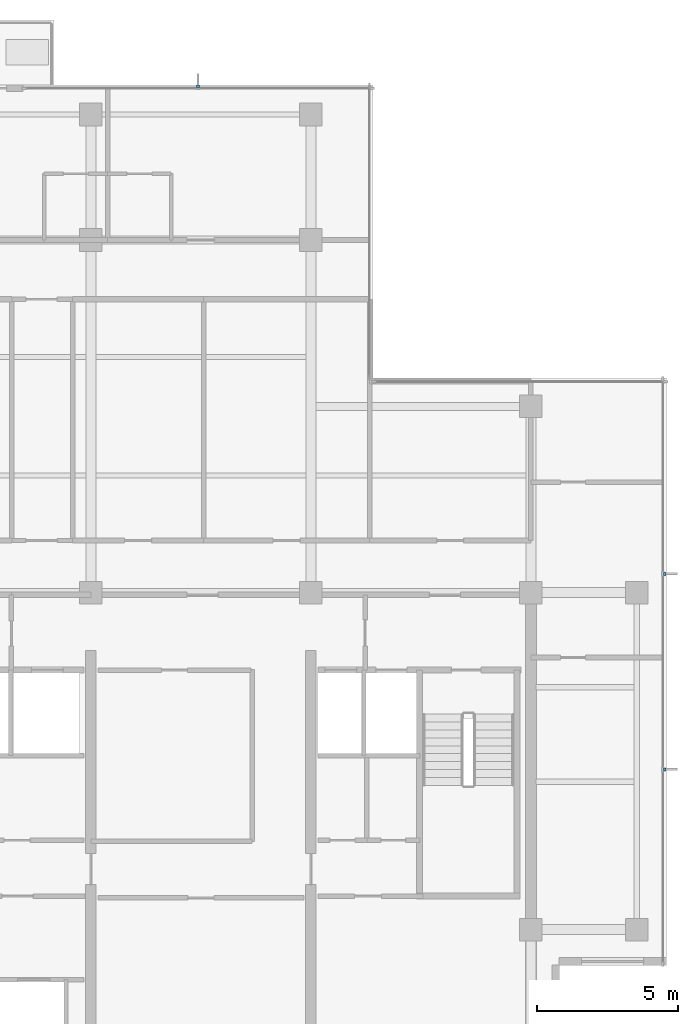
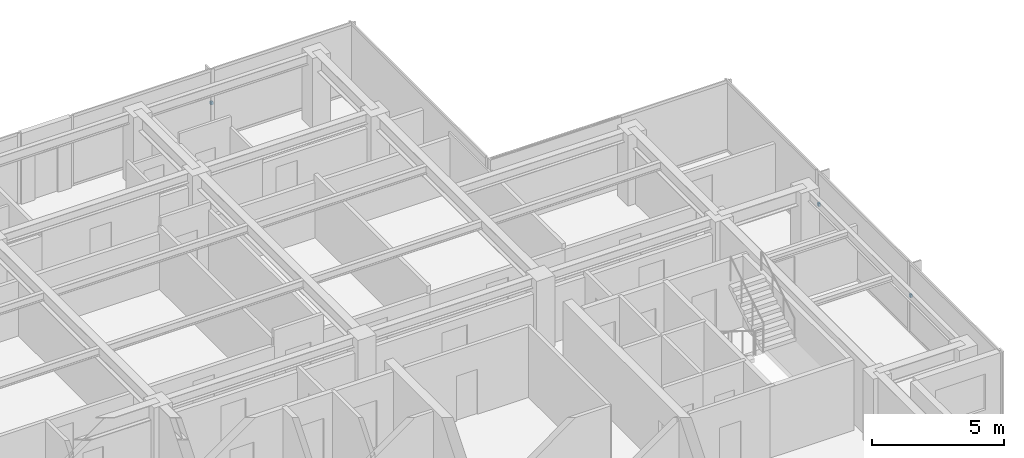
# One storey, part 10 of 11: 3 discrete accessories.
"""IFC4 building model written with IfcOpenShell, lengths in metres."""

from ifc_helpers import new_model, si_unit, direction, frame, origin, place, context, subcontext, project, spatial, polyline, outline, extrude, material, type_object, element, save


model = new_model("IFC4")

# Units and contexts
model_context = context("Model", 3, precision=1e-05, world=origin(), true_north=direction((0.0, 1.0)))
body_context = subcontext(model_context, "Body", "Model", "MODEL_VIEW")
ifc_project = project(units=[si_unit("LENGTHUNIT", "METRE"), si_unit("AREAUNIT", "SQUARE_METRE"), si_unit("VOLUMEUNIT", "CUBIC_METRE"), si_unit("PLANEANGLEUNIT", "RADIAN"), si_unit("MASSUNIT", "GRAM", prefix="KILO")], contexts=[model_context])

# Site, building, storey
site_placement = place(None, origin())
site = spatial("IfcSite", under=ifc_project, at=site_placement, CompositionType="ELEMENT")
building_placement = place(site_placement, origin())
building = spatial("IfcBuilding", under=site, at=building_placement, Name="Qalmaran Belvedere Hotel", CompositionType="ELEMENT")
storey_placement = place(building_placement, frame((0.0, 0.0, 263.39990234375)))
storey = spatial("IfcBuildingStorey", under=building, at=storey_placement, Name="L68", CompositionType="ELEMENT", Elevation=263.39990234375)

# Discrete accessories
ifc_material = material(Name="Stainless Steel 1.4401", Category="steel")
discrete_accessory_type = type_object("IfcDiscreteAccessoryType", Name="BRK-FIN-SS316", PredefinedType="BRACKET", material=ifc_material)
discrete_accessory_1_placement = place(storey_placement, frame((0.0, 0.0, 1.580078125)))
element("IfcDiscreteAccessory", 1, at=discrete_accessory_1_placement, inside=storey, type_object=discrete_accessory_type, Name="L68 Fin Bracket 1", PredefinedType="BRACKET", context=body_context, shape_type="SweptSolid", body=[
    extrude(outline(polyline([(49.4951171875, 14.17822265625), (49.58740234375, 14.17822265625), (49.58740234375, 14.288330078125), (49.4951171875, 14.288330078125), (49.4951171875, 14.17822265625)])), origin(), (0.0, 0.0, 1.0), 0.14013671875),
])
discrete_accessory_2_placement = place(storey_placement, frame((0.0, 0.0, 1.580078125)))
element("IfcDiscreteAccessory", 2, at=discrete_accessory_2_placement, inside=storey, type_object=discrete_accessory_type, Name="L68 Fin Bracket 2", PredefinedType="BRACKET", context=body_context, shape_type="SweptSolid", body=[
    extrude(outline(polyline([(49.4951171875, 21.11181640625), (49.58740234375, 21.11181640625), (49.58740234375, 21.2216796875), (49.4951171875, 21.2216796875), (49.4951171875, 21.11181640625)])), origin(), (0.0, 0.0, 1.0), 0.14013671875),
])
discrete_accessory_3_placement = place(storey_placement, frame((0.0, 0.0, 1.580078125)))
element("IfcDiscreteAccessory", 3, at=discrete_accessory_3_placement, inside=storey, type_object=discrete_accessory_type, Name="L68 Fin Bracket 1", PredefinedType="BRACKET", context=body_context, shape_type="SweptSolid", body=[
    extrude(outline(polyline([(33.054931640625, 38.39501953125), (33.054931640625, 38.487548828125), (32.945068359375, 38.487548828125), (32.945068359375, 38.39501953125), (33.054931640625, 38.39501953125)])), origin(), (0.0, 0.0, 1.0), 0.14013671875),
])

save(model, "model.ifc")
